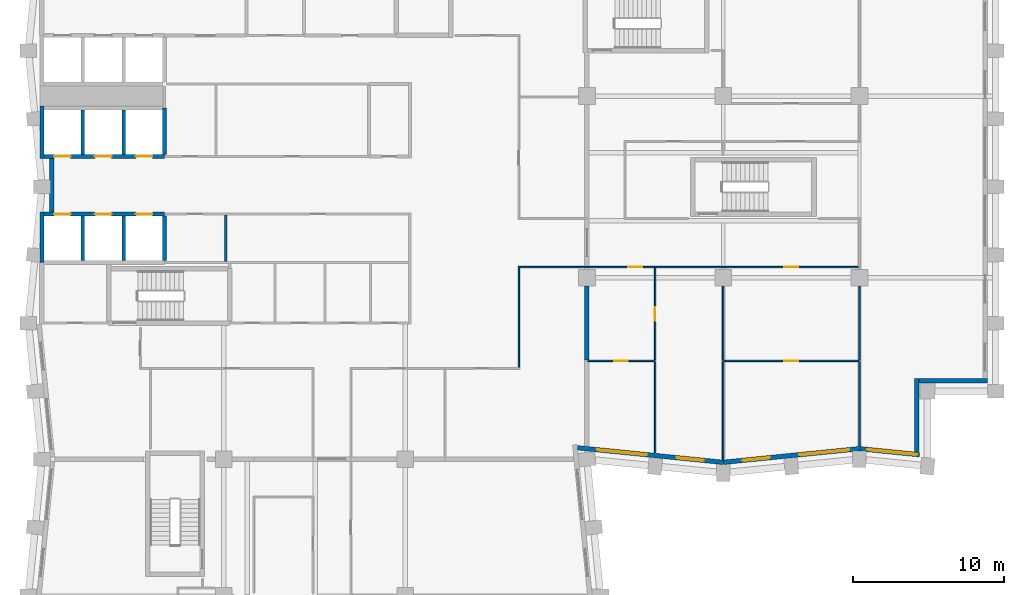
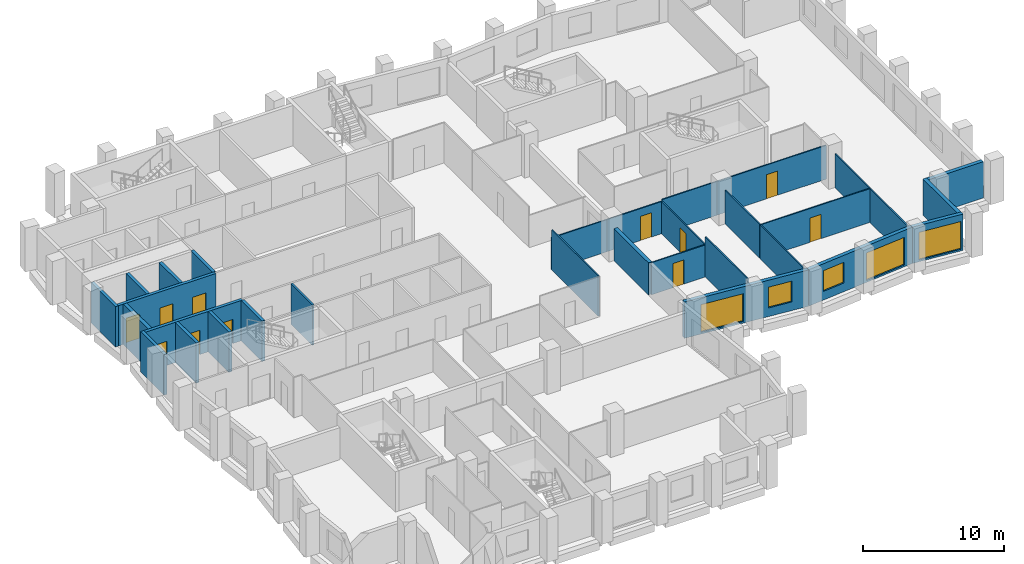
# One storey, part 5 of 10: 31 walls, 11 doors, 5 windows, 16 openings.
"""IFC4 building model written with IfcOpenShell, lengths in metres."""

from ifc_helpers import new_model, si_unit, direction, frame, frame_2d, origin, place, context, subcontext, project, spatial, rectangle, extrude, material, layer, layer_set, type_object, element, fill, save


model = new_model("IFC4")

# Units and contexts
model_context = context("Model", 3, precision=1e-05, world=origin(), true_north=direction((0.0, 1.0)))
body_context = subcontext(model_context, "Body", "Model", "MODEL_VIEW")
ifc_project = project(units=[si_unit("LENGTHUNIT", "METRE"), si_unit("AREAUNIT", "SQUARE_METRE"), si_unit("VOLUMEUNIT", "CUBIC_METRE"), si_unit("PLANEANGLEUNIT", "RADIAN"), si_unit("MASSUNIT", "GRAM", prefix="KILO")], contexts=[model_context])

# Site, building, storey
site_placement = place(None, origin())
site = spatial("IfcSite", under=ifc_project, at=site_placement, CompositionType="ELEMENT")
building_placement = place(site_placement, origin())
building = spatial("IfcBuilding", under=site, at=building_placement, Name="Brondeck Convention Tower", CompositionType="ELEMENT")
storey_placement = place(building_placement, frame((0.0, 0.0, 166.199951171875)))
storey = spatial("IfcBuildingStorey", under=building, at=storey_placement, Name="L40", CompositionType="ELEMENT", Elevation=166.199951171875)

# Walls
ifc_material_1 = material(Name="Concrete compartment wall C30/37", Category="concrete")
ifc_layer_1 = layer(ifc_material_1, 0.300048828125)
ifc_layer_set_1 = layer_set([ifc_layer_1], Name="Compartment wall 300")
wall_type_1 = type_object("IfcWallType", Name="Compartment wall 300", PredefinedType="PARTITIONING", material=ifc_layer_set_1)
wall_1_placement = place(storey_placement, frame((36.0, 33.550048828125, 0.0), z_axis=(0.0, 0.0, 1.0), x_axis=(0.0, 1.0, 0.0)))
element("IfcWall", 1, at=wall_1_placement, inside=storey, type_object=wall_type_1, Name="FLR-L40-W043", PredefinedType="PARTITIONING", context=body_context, shape_type="SweptSolid", body=[
    extrude(rectangle(XDim=4.89501953125, YDim=0.300048828125, at=frame_2d((2.447509765625, 0.0))), origin(), (0.0, 0.0, 1.0), 2.780029296875),
])
ifc_material_2 = material(Name="Concrete C70/85", Category="concrete")
ifc_layer_2 = layer(ifc_material_2, 0.300048828125)
ifc_layer_set_2 = layer_set([ifc_layer_2], Name="Core outer wall 300 Concrete C70/85")
wall_type_2 = type_object("IfcWallType", Name="Core outer wall 300 Concrete C70/85", PredefinedType="SHEAR", material=ifc_layer_set_2)
wall_2_placement = place(storey_placement, frame((0.64990234375, 43.324951171875, 0.0), z_axis=(0.0, 0.0, 1.0), x_axis=(0.0, 1.0, 0.0)))
element("IfcWall", 2, at=wall_2_placement, inside=storey, type_object=wall_type_2, Name="L40 core wall", PredefinedType="SHEAR", context=body_context, shape_type="SweptSolid", body=[
    extrude(rectangle(XDim=3.550048828125, YDim=0.300048828125, at=frame_2d((1.77490234375, 0.0))), origin(), (0.0, 0.0, 1.0), 3.5),
])
ifc_material_3 = material(Name="Fire-rated gypsum board partition")
ifc_layer_3 = layer(ifc_material_3, 0.14990234375)
ifc_layer_set_3 = layer_set([ifc_layer_3], Name="Core partition 150 EI 60")
wall_type_3 = type_object("IfcWallType", Name="Core partition 150 EI 60", PredefinedType="PARTITIONING", material=ifc_layer_set_3)
wall_3_placement = place(storey_placement, frame((12.14990234375, 40.074951171875, 0.0), z_axis=(0.0, 0.0, 1.0), x_axis=(0.0, 1.0, 0.0)))
element("IfcWall", 3, at=wall_3_placement, inside=storey, type_object=wall_type_3, Name="L40 core wall", PredefinedType="PARTITIONING", context=body_context, shape_type="SweptSolid", body=[
    extrude(rectangle(XDim=3.050048828125, YDim=0.14990234375, at=frame_2d((1.52490234375, 0.0))), origin(), (0.0, 0.0, 1.0), 3.5),
])

# Wall, openings, windows
ifc_material_4 = material(Name="Precast concrete C50/60 bronze finish", Category="concrete")
ifc_layer_4 = layer(ifc_material_4, 0.070068359375, Name="Bronze precast facing")
ifc_material_5 = material(Name="Mineral wool")
ifc_layer_5 = layer(ifc_material_5, 0.159912109375, Name="Insulation")
ifc_material_6 = material(Name="Concrete C35/45", Category="concrete")
ifc_layer_6 = layer(ifc_material_6, 0.070068359375, Name="Backing")
ifc_layer_set_4 = layer_set([ifc_layer_4, ifc_layer_5, ifc_layer_6], Name="External infill wall, precast concrete C50/60 bronze facing")
wall_type_4 = type_object("IfcWallType", Name="External infill wall, precast concrete C50/60 bronze facing", PredefinedType="SOLIDWALL", material=ifc_layer_set_4)
wall_4_placement = place(storey_placement, frame((45.014892578125, 26.802001953125, 0.0), z_axis=(0.0, 0.0, 1.0), x_axis=(-0.995037689759, 0.099498723402, 0.0)))
wall_4 = element("IfcWall", 4, at=wall_4_placement, inside=storey, type_object=wall_type_4, Name="ENV-EW-L40-P1-A-S-00", PredefinedType="SOLIDWALL", context=body_context, shape_type="SweptSolid", body=[
    extrude(rectangle(XDim=9.677490234375, YDim=0.300048828125, at=frame_2d((4.8388671875, 0.0))), origin(), (0.0, 0.0, 1.0), 3.150146484375),
])
opening_1_placement = place(wall_4_placement, frame((1.30615234375, 0.0, 0.75)))
opening_1 = element("IfcOpeningElement", 5, at=opening_1_placement, cuts=wall_4, Name="Opening W10", PredefinedType="OPENING", context=body_context, shape_type="SweptSolid", body=[
    extrude(rectangle(XDim=1.800048828125, YDim=1.800048828125, at=frame_2d((0.89990234375, 0.89990234375))), frame((0.0, 0.159912109375, 0.0), z_axis=(0.0, -1.0, 0.0), x_axis=(1.0, 0.0, 0.0)), (0.0, 0.0, 1.0), 0.320068359375),
])
opening_2_placement = place(wall_4_placement, frame((5.07861328125, 0.0, 0.14990234375)))
opening_2 = element("IfcOpeningElement", 6, at=opening_2_placement, cuts=wall_4, Name="Opening W9", PredefinedType="OPENING", context=body_context, shape_type="SweptSolid", body=[
    extrude(rectangle(XDim=3.300048828125, YDim=2.39990234375, at=frame_2d((1.64990234375, 1.199951171875))), frame((0.0, 0.159912109375, 0.0), z_axis=(0.0, -1.0, 0.0), x_axis=(1.0, 0.0, 0.0)), (0.0, 0.0, 1.0), 0.320068359375),
])
ifc_material_7 = material(Name="Bronze tinted double glazing", Category="glass")
window_type_1 = type_object("IfcWindowType", Name="Glazed flute window, bronze tinted", PartitioningType="SINGLE_PANEL", PredefinedType="WINDOW", material=ifc_material_7)
window_1_placement = place(opening_2_placement, origin())
window_1 = element("IfcWindow", 7, at=window_1_placement, inside=storey, type_object=window_type_1, Name="ENV-WN-L40-P1-A-S-00", OverallHeight=2.39990234375, OverallWidth=3.300048828125, PartitioningType="SINGLE_PANEL", PredefinedType="WINDOW", context=body_context, shape_type="SweptSolid", body=[
    extrude(rectangle(XDim=3.300048828125, YDim=2.39990234375, at=frame_2d((1.64990234375, 1.199951171875))), frame((0.0, 0.030029296875, 0.0), z_axis=(0.0, -1.0, 0.0), x_axis=(1.0, 0.0, 0.0)), (0.0, 0.0, 1.0), 0.06005859375),
])
fill(opening_2, window_1)
window_type_2 = type_object("IfcWindowType", Name="Punched window, bronze tinted", PartitioningType="SINGLE_PANEL", PredefinedType="WINDOW", material=ifc_material_7)
window_2_placement = place(opening_1_placement, origin())
window_2 = element("IfcWindow", 8, at=window_2_placement, inside=storey, type_object=window_type_2, Name="ENV-WN-L40-P1-A-S-01", OverallHeight=1.800048828125, OverallWidth=1.800048828125, PartitioningType="SINGLE_PANEL", PredefinedType="WINDOW", context=body_context, shape_type="SweptSolid", body=[
    extrude(rectangle(XDim=1.800048828125, YDim=1.800048828125, at=frame_2d((0.89990234375, 0.89990234375))), frame((0.0, 0.030029296875, 0.0), z_axis=(0.0, -1.0, 0.0), x_axis=(1.0, 0.0, 0.0)), (0.0, 0.0, 1.0), 0.06005859375),
])
fill(opening_1, window_2)

wall_5_placement = place(storey_placement, frame((54.014892578125, 27.705078125, 0.0), z_axis=(0.0, 0.0, 1.0), x_axis=(-0.995035316196, -0.099522457379, 0.0)))
wall_5 = element("IfcWall", 9, at=wall_5_placement, inside=storey, type_object=wall_type_4, Name="ENV-EW-L40-P1-A-S-02", PredefinedType="SOLIDWALL", context=body_context, shape_type="SweptSolid", body=[
    extrude(rectangle(XDim=9.030029296875, YDim=0.300048828125, at=frame_2d((4.51513671875, 0.0))), origin(), (0.0, 0.0, 1.0), 3.150146484375),
])
opening_3_placement = place(wall_5_placement, frame((0.6962890625, 0.0, 0.14990234375)))
opening_3 = element("IfcOpeningElement", 10, at=opening_3_placement, cuts=wall_5, Name="Opening W9", PredefinedType="OPENING", context=body_context, shape_type="SweptSolid", body=[
    extrude(rectangle(XDim=3.300048828125, YDim=2.39990234375, at=frame_2d((1.64990234375, 1.199951171875))), frame((0.0, 0.159912109375, 0.0), z_axis=(0.0, -1.0, 0.0), x_axis=(1.0, 0.0, 0.0)), (0.0, 0.0, 1.0), 0.320068359375),
])
opening_4_placement = place(wall_5_placement, frame((5.968505859375, 0.0, 0.75)))
opening_4 = element("IfcOpeningElement", 11, at=opening_4_placement, cuts=wall_5, Name="Opening W10", PredefinedType="OPENING", context=body_context, shape_type="SweptSolid", body=[
    extrude(rectangle(XDim=1.800048828125, YDim=1.800048828125, at=frame_2d((0.89990234375, 0.89990234375))), frame((0.0, 0.159912109375, 0.0), z_axis=(0.0, -1.0, 0.0), x_axis=(1.0, 0.0, 0.0)), (0.0, 0.0, 1.0), 0.320068359375),
])
window_3_placement = place(opening_3_placement, origin())
window_3 = element("IfcWindow", 12, at=window_3_placement, inside=storey, type_object=window_type_1, Name="ENV-WN-L40-P1-A-S-03", OverallHeight=2.39990234375, OverallWidth=3.300048828125, PartitioningType="SINGLE_PANEL", PredefinedType="WINDOW", context=body_context, shape_type="SweptSolid", body=[
    extrude(rectangle(XDim=3.300048828125, YDim=2.39990234375, at=frame_2d((1.64990234375, 1.199951171875))), frame((0.0, 0.030029296875, 0.0), z_axis=(0.0, -1.0, 0.0), x_axis=(1.0, 0.0, 0.0)), (0.0, 0.0, 1.0), 0.06005859375),
])
fill(opening_3, window_3)
window_4_placement = place(opening_4_placement, origin())
window_4 = element("IfcWindow", 13, at=window_4_placement, inside=storey, type_object=window_type_2, Name="ENV-WN-L40-P1-A-S-02", OverallHeight=1.800048828125, OverallWidth=1.800048828125, PartitioningType="SINGLE_PANEL", PredefinedType="WINDOW", context=body_context, shape_type="SweptSolid", body=[
    extrude(rectangle(XDim=1.800048828125, YDim=1.800048828125, at=frame_2d((0.89990234375, 0.89990234375))), frame((0.0, 0.030029296875, 0.0), z_axis=(0.0, -1.0, 0.0), x_axis=(1.0, 0.0, 0.0)), (0.0, 0.0, 1.0), 0.06005859375),
])
fill(opening_4, window_4)

# Wall, opening, window
wall_6_placement = place(storey_placement, frame((57.96484375, 27.306884765625, 0.0), z_axis=(0.0, 0.0, 1.0), x_axis=(-0.99503596767, 0.099515943658, 0.0)))
wall_6 = element("IfcWall", 14, at=wall_6_placement, inside=storey, type_object=wall_type_4, Name="ENV-EW-L40-P1-A-S-04", PredefinedType="SOLIDWALL", context=body_context, shape_type="SweptSolid", body=[
    extrude(rectangle(XDim=3.95458984375, YDim=0.300048828125, at=frame_2d((1.977294921875, 0.0))), origin(), (0.0, 0.0, 1.0), 3.150146484375),
])
opening_5_placement = place(wall_6_placement, frame((0.14990234375, 0.0, 0.14990234375)))
opening_5 = element("IfcOpeningElement", 15, at=opening_5_placement, cuts=wall_6, Name="Opening W9", PredefinedType="OPENING", context=body_context, shape_type="SweptSolid", body=[
    extrude(rectangle(XDim=3.300048828125, YDim=2.39990234375, at=frame_2d((1.64990234375, 1.199951171875))), frame((0.0, 0.159912109375, 0.0), z_axis=(0.0, -1.0, 0.0), x_axis=(1.0, 0.0, 0.0)), (0.0, 0.0, 1.0), 0.320068359375),
])
window_5_placement = place(opening_5_placement, origin())
window_5 = element("IfcWindow", 16, at=window_5_placement, inside=storey, type_object=window_type_1, Name="ENV-WN-L40-P1-A-S-04", OverallHeight=2.39990234375, OverallWidth=3.300048828125, PartitioningType="SINGLE_PANEL", PredefinedType="WINDOW", context=body_context, shape_type="SweptSolid", body=[
    extrude(rectangle(XDim=3.300048828125, YDim=2.39990234375, at=frame_2d((1.64990234375, 1.199951171875))), frame((0.0, 0.030029296875, 0.0), z_axis=(0.0, -1.0, 0.0), x_axis=(1.0, 0.0, 0.0)), (0.0, 0.0, 1.0), 0.06005859375),
])
fill(opening_5, window_5)

# Walls
wall_7_placement = place(storey_placement, frame((57.800048828125, 32.35009765625, 0.0), z_axis=(0.0, 0.0, 1.0), x_axis=(0.0, -1.0, 0.0)))
element("IfcWall", 17, at=wall_7_placement, inside=storey, type_object=wall_type_4, Name="ENV-EW-L40-P1-NC-SEA63-01", PredefinedType="SOLIDWALL", context=body_context, shape_type="SweptSolid", body=[
    extrude(rectangle(XDim=4.87060546875, YDim=0.300048828125, at=frame_2d((2.435302734375, 0.0))), origin(), (0.0, 0.0, 1.0), 3.150146484375),
])
wall_8_placement = place(storey_placement, frame((62.449951171875, 32.199951171875, 0.0), z_axis=(0.0, 0.0, 1.0), x_axis=(-1.0, 0.0, 0.0)))
element("IfcWall", 18, at=wall_8_placement, inside=storey, type_object=wall_type_4, Name="ENV-EW-L40-P1-NC-SEA63-02", PredefinedType="SOLIDWALL", context=body_context, shape_type="SweptSolid", body=[
    extrude(rectangle(XDim=4.501953125, YDim=0.300048828125, at=frame_2d((2.2509765625, 0.0))), origin(), (0.0, 0.0, 1.0), 3.150146484375),
])

# Wall, openings, doors
ifc_layer_7 = layer(ifc_material_2, 0.25)
ifc_layer_set_5 = layer_set([ifc_layer_7], Name="Lift shaft wall 250 Concrete C70/85")
wall_type_5 = type_object("IfcWallType", Name="Lift shaft wall 250 Concrete C70/85", PredefinedType="SHEAR", material=ifc_layer_set_5)
wall_9_placement = place(storey_placement, frame((0.125, 43.199951171875, 0.0), z_axis=(0.0, 0.0, 1.0), x_axis=(1.0, 0.0, 0.0)))
wall_9 = element("IfcWall", 19, at=wall_9_placement, inside=storey, type_object=wall_type_5, Name="L40 core wall", PredefinedType="SHEAR", context=body_context, shape_type="SweptSolid", body=[
    extrude(rectangle(XDim=7.97509765625, YDim=0.25, at=frame_2d((3.987548828125, 0.0))), origin(), (0.0, 0.0, 1.0), 3.5),
])
opening_6_placement = place(wall_9_placement, frame((0.675048828125, 0.0, 0.0)))
opening_6 = element("IfcOpeningElement", 20, at=opening_6_placement, cuts=wall_9, Name="Opening C23-24", PredefinedType="OPENING", context=body_context, shape_type="SweptSolid", body=[
    extrude(rectangle(XDim=1.10009765625, YDim=2.10009765625, at=frame_2d((0.550048828125, 1.050048828125))), frame((0.0, 0.135009765625, 0.0), z_axis=(0.0, -1.0, 0.0), x_axis=(1.0, 0.0, 0.0)), (0.0, 0.0, 1.0), 0.27001953125),
])
opening_7_placement = place(wall_9_placement, frame((3.375, 0.0, 0.0)))
opening_7 = element("IfcOpeningElement", 21, at=opening_7_placement, cuts=wall_9, Name="Opening C23-25", PredefinedType="OPENING", context=body_context, shape_type="SweptSolid", body=[
    extrude(rectangle(XDim=1.10009765625, YDim=2.10009765625, at=frame_2d((0.550048828125, 1.050048828125))), frame((0.0, 0.135009765625, 0.0), z_axis=(0.0, -1.0, 0.0), x_axis=(1.0, 0.0, 0.0)), (0.0, 0.0, 1.0), 0.27001953125),
])
opening_8_placement = place(wall_9_placement, frame((6.074951171875, 0.0, 0.0)))
opening_8 = element("IfcOpeningElement", 22, at=opening_8_placement, cuts=wall_9, Name="Opening C23-26", PredefinedType="OPENING", context=body_context, shape_type="SweptSolid", body=[
    extrude(rectangle(XDim=1.10009765625, YDim=2.10009765625, at=frame_2d((0.550048828125, 1.050048828125))), frame((0.0, 0.135009765625, 0.0), z_axis=(0.0, -1.0, 0.0), x_axis=(1.0, 0.0, 0.0)), (0.0, 0.0, 1.0), 0.27001953125),
])
ifc_material_8 = material(Name="Stainless steel lift door", Category="steel")
door_type_1 = type_object("IfcDoorType", Name="Lift landing door 1100x2100 EI 180", OperationType="DOUBLE_DOOR_SLIDING", PredefinedType="DOOR", material=ifc_material_8)
door_1_placement = place(opening_6_placement, origin())
door_1 = element("IfcDoor", 23, at=door_1_placement, inside=storey, type_object=door_type_1, Name="L40 Lift landing door HR1", OperationType="DOUBLE_DOOR_SLIDING", OverallHeight=2.10009765625, OverallWidth=1.10009765625, PredefinedType="DOOR", context=body_context, shape_type="SweptSolid", body=[
    extrude(rectangle(XDim=1.10009765625, YDim=2.10009765625, at=frame_2d((0.550048828125, 1.050048828125))), frame((0.0, 0.02490234375, 0.0), z_axis=(0.0, -1.0, 0.0), x_axis=(1.0, 0.0, 0.0)), (0.0, 0.0, 1.0), 0.050048828125),
])
fill(opening_6, door_1)
door_2_placement = place(opening_7_placement, origin())
door_2 = element("IfcDoor", 24, at=door_2_placement, inside=storey, type_object=door_type_1, Name="L40 Lift landing door HR2", OperationType="DOUBLE_DOOR_SLIDING", OverallHeight=2.10009765625, OverallWidth=1.10009765625, PredefinedType="DOOR", context=body_context, shape_type="SweptSolid", body=[
    extrude(rectangle(XDim=1.10009765625, YDim=2.10009765625, at=frame_2d((0.550048828125, 1.050048828125))), frame((0.0, 0.02490234375, 0.0), z_axis=(0.0, -1.0, 0.0), x_axis=(1.0, 0.0, 0.0)), (0.0, 0.0, 1.0), 0.050048828125),
])
fill(opening_7, door_2)
door_3_placement = place(opening_8_placement, origin())
door_3 = element("IfcDoor", 25, at=door_3_placement, inside=storey, type_object=door_type_1, Name="L40 Lift landing door HR3", OperationType="DOUBLE_DOOR_SLIDING", OverallHeight=2.10009765625, OverallWidth=1.10009765625, PredefinedType="DOOR", context=body_context, shape_type="SweptSolid", body=[
    extrude(rectangle(XDim=1.10009765625, YDim=2.10009765625, at=frame_2d((0.550048828125, 1.050048828125))), frame((0.0, 0.02490234375, 0.0), z_axis=(0.0, -1.0, 0.0), x_axis=(1.0, 0.0, 0.0)), (0.0, 0.0, 1.0), 0.050048828125),
])
fill(opening_8, door_3)

wall_10_placement = place(storey_placement, frame((0.125, 47.0, 0.0), z_axis=(0.0, 0.0, 1.0), x_axis=(1.0, 0.0, 0.0)))
wall_10 = element("IfcWall", 26, at=wall_10_placement, inside=storey, type_object=wall_type_5, Name="L40 core wall", PredefinedType="SHEAR", context=body_context, shape_type="SweptSolid", body=[
    extrude(rectangle(XDim=7.97509765625, YDim=0.25, at=frame_2d((3.987548828125, 0.0))), origin(), (0.0, 0.0, 1.0), 3.5),
])
opening_9_placement = place(wall_10_placement, frame((0.675048828125, 0.0, 0.0)))
opening_9 = element("IfcOpeningElement", 27, at=opening_9_placement, cuts=wall_10, Name="Opening C23-27", PredefinedType="OPENING", context=body_context, shape_type="SweptSolid", body=[
    extrude(rectangle(XDim=1.10009765625, YDim=2.10009765625, at=frame_2d((0.550048828125, 1.050048828125))), frame((0.0, 0.135009765625, 0.0), z_axis=(0.0, -1.0, 0.0), x_axis=(1.0, 0.0, 0.0)), (0.0, 0.0, 1.0), 0.27001953125),
])
opening_10_placement = place(wall_10_placement, frame((3.375, 0.0, 0.0)))
opening_10 = element("IfcOpeningElement", 28, at=opening_10_placement, cuts=wall_10, Name="Opening C23-28", PredefinedType="OPENING", context=body_context, shape_type="SweptSolid", body=[
    extrude(rectangle(XDim=1.10009765625, YDim=2.10009765625, at=frame_2d((0.550048828125, 1.050048828125))), frame((0.0, 0.135009765625, 0.0), z_axis=(0.0, -1.0, 0.0), x_axis=(1.0, 0.0, 0.0)), (0.0, 0.0, 1.0), 0.27001953125),
])
opening_11_placement = place(wall_10_placement, frame((6.074951171875, 0.0, 0.0)))
opening_11 = element("IfcOpeningElement", 29, at=opening_11_placement, cuts=wall_10, Name="Opening C23-29", PredefinedType="OPENING", context=body_context, shape_type="SweptSolid", body=[
    extrude(rectangle(XDim=1.10009765625, YDim=2.10009765625, at=frame_2d((0.550048828125, 1.050048828125))), frame((0.0, 0.135009765625, 0.0), z_axis=(0.0, -1.0, 0.0), x_axis=(1.0, 0.0, 0.0)), (0.0, 0.0, 1.0), 0.27001953125),
])
door_4_placement = place(opening_9_placement, origin())
door_4 = element("IfcDoor", 30, at=door_4_placement, inside=storey, type_object=door_type_1, Name="L40 Lift landing door HR4", OperationType="DOUBLE_DOOR_SLIDING", OverallHeight=2.10009765625, OverallWidth=1.10009765625, PredefinedType="DOOR", context=body_context, shape_type="SweptSolid", body=[
    extrude(rectangle(XDim=1.10009765625, YDim=2.10009765625, at=frame_2d((0.550048828125, 1.050048828125))), frame((0.0, 0.02490234375, 0.0), z_axis=(0.0, -1.0, 0.0), x_axis=(1.0, 0.0, 0.0)), (0.0, 0.0, 1.0), 0.050048828125),
])
fill(opening_9, door_4)
door_5_placement = place(opening_10_placement, origin())
door_5 = element("IfcDoor", 31, at=door_5_placement, inside=storey, type_object=door_type_1, Name="L40 Lift landing door HR5", OperationType="DOUBLE_DOOR_SLIDING", OverallHeight=2.10009765625, OverallWidth=1.10009765625, PredefinedType="DOOR", context=body_context, shape_type="SweptSolid", body=[
    extrude(rectangle(XDim=1.10009765625, YDim=2.10009765625, at=frame_2d((0.550048828125, 1.050048828125))), frame((0.0, 0.02490234375, 0.0), z_axis=(0.0, -1.0, 0.0), x_axis=(1.0, 0.0, 0.0)), (0.0, 0.0, 1.0), 0.050048828125),
])
fill(opening_10, door_5)
door_6_placement = place(opening_11_placement, origin())
door_6 = element("IfcDoor", 32, at=door_6_placement, inside=storey, type_object=door_type_1, Name="L40 Lift landing door HR6", OperationType="DOUBLE_DOOR_SLIDING", OverallHeight=2.10009765625, OverallWidth=1.10009765625, PredefinedType="DOOR", context=body_context, shape_type="SweptSolid", body=[
    extrude(rectangle(XDim=1.10009765625, YDim=2.10009765625, at=frame_2d((0.550048828125, 1.050048828125))), frame((0.0, 0.02490234375, 0.0), z_axis=(0.0, -1.0, 0.0), x_axis=(1.0, 0.0, 0.0)), (0.0, 0.0, 1.0), 0.050048828125),
])
fill(opening_11, door_6)

# Walls
wall_11_placement = place(storey_placement, frame((0.0, 40.0, 0.0), z_axis=(0.0, 0.0, 1.0), x_axis=(0.0, 1.0, 0.0)))
element("IfcWall", 33, at=wall_11_placement, inside=storey, type_object=wall_type_5, Name="L40 core wall", PredefinedType="SHEAR", context=body_context, shape_type="SweptSolid", body=[
    extrude(rectangle(XDim=3.324951171875, YDim=0.25, at=frame_2d((1.66259765625, 0.0))), origin(), (0.0, 0.0, 1.0), 3.5),
])
wall_12_placement = place(storey_placement, frame((0.0, 46.875, 0.0), z_axis=(0.0, 0.0, 1.0), x_axis=(0.0, 1.0, 0.0)))
element("IfcWall", 34, at=wall_12_placement, inside=storey, type_object=wall_type_5, Name="L40 core wall", PredefinedType="SHEAR", context=body_context, shape_type="SweptSolid", body=[
    extrude(rectangle(XDim=3.47509765625, YDim=0.25, at=frame_2d((1.737548828125, 0.0))), origin(), (0.0, 0.0, 1.0), 3.5),
])
for number, where, z_axis, x_axis, name in (
    (35, (2.699951171875, 40.125, 0.0), (0.0, 0.0, 1.0), (0.0, 1.0, 0.0), "L40 core wall"),
    (36, (2.699951171875, 47.125, 0.0), (0.0, 0.0, 1.0), (0.0, 1.0, 0.0), "L40 core wall"),
    (37, (5.39990234375, 40.125, 0.0), (0.0, 0.0, 1.0), (0.0, 1.0, 0.0), "L40 core wall"),
    (38, (5.39990234375, 47.125, 0.0), (0.0, 0.0, 1.0), (0.0, 1.0, 0.0), "L40 core wall"),
    (39, (8.10009765625, 40.125, 0.0), (0.0, 0.0, 1.0), (0.0, 1.0, 0.0), "L40 core wall"),
):
    element("IfcWall", number, at=place(storey_placement, frame(where, z_axis=z_axis, x_axis=x_axis)), inside=storey, type_object=wall_type_5, Name=name, PredefinedType="SHEAR", context=body_context, shape_type="SweptSolid", body=[
        extrude(rectangle(XDim=2.949951171875, YDim=0.25, at=frame_2d((1.47509765625, 0.0))), origin(), (0.0, 0.0, 1.0), 3.5),
    ])
wall_13_placement = place(storey_placement, frame((8.10009765625, 47.125, 0.0), z_axis=(0.0, 0.0, 1.0), x_axis=(0.0, 1.0, 0.0)))
element("IfcWall", 40, at=wall_13_placement, inside=storey, type_object=wall_type_5, Name="L40 core wall", PredefinedType="SHEAR", context=body_context, shape_type="SweptSolid", body=[
    extrude(rectangle(XDim=3.074951171875, YDim=0.25, at=frame_2d((1.53759765625, 0.0))), origin(), (0.0, 0.0, 1.0), 3.5),
])
ifc_material_9 = material(Name="Gypsum board partition on steel studs", Category="steel")
ifc_layer_8 = layer(ifc_material_9, 0.10009765625)
ifc_layer_set_6 = layer_set([ifc_layer_8], Name="Room partition 100")
wall_type_6 = type_object("IfcWallType", Name="Room partition 100", PredefinedType="PARTITIONING", material=ifc_layer_set_6)
wall_14_placement = place(storey_placement, frame((54.0, 27.874267578125, 0.0), z_axis=(0.0, 0.0, 1.0), x_axis=(0.0, 1.0, 0.0)))
element("IfcWall", 41, at=wall_14_placement, inside=storey, type_object=wall_type_6, Name="FLR-L40-W029", PredefinedType="PARTITIONING", context=body_context, shape_type="SweptSolid", body=[
    extrude(rectangle(XDim=5.57568359375, YDim=0.10009765625, at=frame_2d((2.787841796875, 0.0))), origin(), (0.0, 0.0, 1.0), 2.929931640625),
])
wall_15_placement = place(storey_placement, frame((40.5, 33.449951171875, 0.0), z_axis=(0.0, 0.0, 1.0), x_axis=(0.0, -1.0, 0.0)))
element("IfcWall", 42, at=wall_15_placement, inside=storey, type_object=wall_type_6, Name="FLR-L40-W039", PredefinedType="PARTITIONING", context=body_context, shape_type="SweptSolid", body=[
    extrude(rectangle(XDim=6.025634765625, YDim=0.10009765625, at=frame_2d((3.0126953125, 0.0))), origin(), (0.0, 0.0, 1.0), 3.47998046875),
])
wall_16_placement = place(storey_placement, frame((45.0, 33.449951171875, 0.0), z_axis=(0.0, 0.0, 1.0), x_axis=(0.0, -1.0, 0.0)))
element("IfcWall", 43, at=wall_16_placement, inside=storey, type_object=wall_type_6, Name="FLR-L40-W040", PredefinedType="PARTITIONING", context=body_context, shape_type="SweptSolid", body=[
    extrude(rectangle(XDim=6.475830078125, YDim=0.10009765625, at=frame_2d((3.23779296875, 0.0))), origin(), (0.0, 0.0, 1.0), 2.929931640625),
])

# Wall, opening, door
wall_17_placement = place(storey_placement, frame((40.449951171875, 33.5, 0.0), z_axis=(0.0, 0.0, 1.0), x_axis=(-1.0, 0.0, 0.0)))
wall_17 = element("IfcWall", 44, at=wall_17_placement, inside=storey, type_object=wall_type_6, Name="FLR-L40-W041", PredefinedType="PARTITIONING", context=body_context, shape_type="SweptSolid", body=[
    extrude(rectangle(XDim=4.39990234375, YDim=0.10009765625, at=frame_2d((2.199951171875, 0.0))), origin(), (0.0, 0.0, 1.0), 2.780029296875),
])
opening_12_placement = place(wall_17_placement, frame((1.75, 0.0, 0.0)))
opening_12 = element("IfcOpeningElement", 45, at=opening_12_placement, cuts=wall_17, Name="Opening OF-H-007", PredefinedType="OPENING", context=body_context, shape_type="SweptSolid", body=[
    extrude(rectangle(XDim=0.89990234375, YDim=2.10009765625, at=frame_2d((0.449951171875, 1.050048828125))), frame((0.0, 0.06005859375, 0.0), z_axis=(0.0, -1.0, 0.0), x_axis=(1.0, 0.0, 0.0)), (0.0, 0.0, 1.0), 0.1201171875),
])
ifc_material_10 = material(Name="Solid timber door leaf", Category="wood")
door_type_2 = type_object("IfcDoorType", Name="Single door 900", OperationType="NOTDEFINED", PredefinedType="DOOR", material=ifc_material_10)
door_7_placement = place(opening_12_placement, origin())
door_7 = element("IfcDoor", 46, at=door_7_placement, inside=storey, type_object=door_type_2, Name="Door OF-H-007", OperationType="SINGLE_SWING_LEFT", OverallHeight=2.10009765625, OverallWidth=0.89990234375, PredefinedType="DOOR", context=body_context, shape_type="SweptSolid", body=[
    extrude(rectangle(XDim=0.89990234375, YDim=2.10009765625, at=frame_2d((0.449951171875, 1.050048828125))), frame((0.0, 0.02490234375, 0.0), z_axis=(0.0, -1.0, 0.0), x_axis=(1.0, 0.0, 0.0)), (0.0, 0.0, 1.0), 0.050048828125),
])
fill(opening_12, door_7)

wall_18_placement = place(storey_placement, frame((53.949951171875, 33.5, 0.0), z_axis=(0.0, 0.0, 1.0), x_axis=(-1.0, 0.0, 0.0)))
wall_18 = element("IfcWall", 47, at=wall_18_placement, inside=storey, type_object=wall_type_6, Name="FLR-L40-W042", PredefinedType="PARTITIONING", context=body_context, shape_type="SweptSolid", body=[
    extrude(rectangle(XDim=8.89990234375, YDim=0.10009765625, at=frame_2d((4.449951171875, 0.0))), origin(), (0.0, 0.0, 1.0), 2.929931640625),
])
opening_13_placement = place(wall_18_placement, frame((4.0, 0.0, 0.0)))
opening_13 = element("IfcOpeningElement", 48, at=opening_13_placement, cuts=wall_18, Name="Opening OF-H-010", PredefinedType="OPENING", context=body_context, shape_type="SweptSolid", body=[
    extrude(rectangle(XDim=0.89990234375, YDim=2.10009765625, at=frame_2d((0.449951171875, 1.050048828125))), frame((0.0, 0.06005859375, 0.0), z_axis=(0.0, -1.0, 0.0), x_axis=(1.0, 0.0, 0.0)), (0.0, 0.0, 1.0), 0.1201171875),
])
door_8_placement = place(opening_13_placement, origin())
door_8 = element("IfcDoor", 49, at=door_8_placement, inside=storey, type_object=door_type_2, Name="Door OF-H-010", OperationType="SINGLE_SWING_LEFT", OverallHeight=2.10009765625, OverallWidth=0.89990234375, PredefinedType="DOOR", context=body_context, shape_type="SweptSolid", body=[
    extrude(rectangle(XDim=0.89990234375, YDim=2.10009765625, at=frame_2d((0.449951171875, 1.050048828125))), frame((0.0, 0.02490234375, 0.0), z_axis=(0.0, -1.0, 0.0), x_axis=(1.0, 0.0, 0.0)), (0.0, 0.0, 1.0), 0.050048828125),
])
fill(opening_13, door_8)

# Walls
for number, where, z_axis, x_axis, name in (
    (50, (54.0, 33.550048828125, 0.0), (0.0, 0.0, 1.0), (0.0, 1.0, 0.0), "FLR-L40-W044"),
    (51, (45.0, 38.445068359375, 0.0), (0.0, 0.0, 1.0), (0.0, -1.0, 0.0), "FLR-L40-W045"),
):
    element("IfcWall", number, at=place(storey_placement, frame(where, z_axis=z_axis, x_axis=x_axis)), inside=storey, type_object=wall_type_6, Name=name, PredefinedType="PARTITIONING", context=body_context, shape_type="SweptSolid", body=[
        extrude(rectangle(XDim=4.89501953125, YDim=0.10009765625, at=frame_2d((2.447509765625, 0.0))), origin(), (0.0, 0.0, 1.0), 2.929931640625),
    ])
wall_19_placement = place(storey_placement, frame((31.5, 39.64990234375, 0.0), z_axis=(0.0, 0.0, 1.0), x_axis=(0.0, -1.0, 0.0)))
element("IfcWall", 52, at=wall_19_placement, inside=storey, type_object=wall_type_6, Name="FLR-L40-W046", PredefinedType="PARTITIONING", context=body_context, shape_type="SweptSolid", body=[
    extrude(rectangle(XDim=6.599853515625, YDim=0.10009765625, at=frame_2d((3.2998046875, 0.0))), origin(), (0.0, 0.0, 1.0), 3.47998046875),
])

# Wall, opening, door
wall_20_placement = place(storey_placement, frame((40.5, 39.64990234375, 0.0), z_axis=(0.0, 0.0, 1.0), x_axis=(0.0, -1.0, 0.0)))
wall_20 = element("IfcWall", 53, at=wall_20_placement, inside=storey, type_object=wall_type_6, Name="FLR-L40-W047", PredefinedType="PARTITIONING", context=body_context, shape_type="SweptSolid", body=[
    extrude(rectangle(XDim=6.099853515625, YDim=0.10009765625, at=frame_2d((3.0498046875, 0.0))), origin(), (0.0, 0.0, 1.0), 2.780029296875),
])
opening_14_placement = place(wall_20_placement, frame((2.60009765625, 0.0, 0.0)))
opening_14 = element("IfcOpeningElement", 54, at=opening_14_placement, cuts=wall_20, Name="Opening OF-H-008", PredefinedType="OPENING", context=body_context, shape_type="SweptSolid", body=[
    extrude(rectangle(XDim=0.89990234375, YDim=2.10009765625, at=frame_2d((0.449951171875, 1.050048828125))), frame((0.0, 0.06005859375, 0.0), z_axis=(0.0, -1.0, 0.0), x_axis=(1.0, 0.0, 0.0)), (0.0, 0.0, 1.0), 0.1201171875),
])
door_9_placement = place(opening_14_placement, origin())
door_9 = element("IfcDoor", 55, at=door_9_placement, inside=storey, type_object=door_type_2, Name="Door OF-H-008", OperationType="SINGLE_SWING_LEFT", OverallHeight=2.10009765625, OverallWidth=0.89990234375, PredefinedType="DOOR", context=body_context, shape_type="SweptSolid", body=[
    extrude(rectangle(XDim=0.89990234375, YDim=2.10009765625, at=frame_2d((0.449951171875, 1.050048828125))), frame((0.0, 0.02490234375, 0.0), z_axis=(0.0, -1.0, 0.0), x_axis=(1.0, 0.0, 0.0)), (0.0, 0.0, 1.0), 0.050048828125),
])
fill(opening_14, door_9)

# Wall
wall_21_placement = place(storey_placement, frame((36.0, 39.699951171875, 0.0), z_axis=(0.0, 0.0, 1.0), x_axis=(-1.0, 0.0, 0.0)))
element("IfcWall", 56, at=wall_21_placement, inside=storey, type_object=wall_type_6, Name="FLR-L40-W048", PredefinedType="PARTITIONING", context=body_context, shape_type="SweptSolid", body=[
    extrude(rectangle(XDim=4.550048828125, YDim=0.10009765625, at=frame_2d((2.27490234375, 0.0))), origin(), (0.0, 0.0, 1.0), 2.780029296875),
])

# Wall, opening, door
wall_22_placement = place(storey_placement, frame((40.5, 39.699951171875, 0.0), z_axis=(0.0, 0.0, 1.0), x_axis=(-1.0, 0.0, 0.0)))
wall_22 = element("IfcWall", 57, at=wall_22_placement, inside=storey, type_object=wall_type_6, Name="FLR-L40-W049", PredefinedType="PARTITIONING", context=body_context, shape_type="SweptSolid", body=[
    extrude(rectangle(XDim=4.5, YDim=0.10009765625, at=frame_2d((2.25, 0.0))), origin(), (0.0, 0.0, 1.0), 2.780029296875),
])
opening_15_placement = place(wall_22_placement, frame((0.8544921875, 0.0, 0.0)))
opening_15 = element("IfcOpeningElement", 58, at=opening_15_placement, cuts=wall_22, Name="Opening OF-H-006", PredefinedType="OPENING", context=body_context, shape_type="SweptSolid", body=[
    extrude(rectangle(XDim=0.89990234375, YDim=2.10009765625, at=frame_2d((0.449951171875, 1.050048828125))), frame((0.0, 0.06005859375, 0.0), z_axis=(0.0, -1.0, 0.0), x_axis=(1.0, 0.0, 0.0)), (0.0, 0.0, 1.0), 0.1201171875),
])
door_10_placement = place(opening_15_placement, origin())
door_10 = element("IfcDoor", 59, at=door_10_placement, inside=storey, type_object=door_type_2, Name="Door OF-H-006", OperationType="SINGLE_SWING_LEFT", OverallHeight=2.10009765625, OverallWidth=0.89990234375, PredefinedType="DOOR", context=body_context, shape_type="SweptSolid", body=[
    extrude(rectangle(XDim=0.89990234375, YDim=2.10009765625, at=frame_2d((0.449951171875, 1.050048828125))), frame((0.0, 0.02490234375, 0.0), z_axis=(0.0, -1.0, 0.0), x_axis=(1.0, 0.0, 0.0)), (0.0, 0.0, 1.0), 0.050048828125),
])
fill(opening_15, door_10)

# Wall
wall_23_placement = place(storey_placement, frame((45.0, 39.699951171875, 0.0), z_axis=(0.0, 0.0, 1.0), x_axis=(-1.0, 0.0, 0.0)))
element("IfcWall", 60, at=wall_23_placement, inside=storey, type_object=wall_type_6, Name="FLR-L40-W050", PredefinedType="PARTITIONING", context=body_context, shape_type="SweptSolid", body=[
    extrude(rectangle(XDim=4.5, YDim=0.10009765625, at=frame_2d((2.25, 0.0))), origin(), (0.0, 0.0, 1.0), 2.929931640625),
])

# Wall, opening, door
wall_24_placement = place(storey_placement, frame((53.949951171875, 39.699951171875, 0.0), z_axis=(0.0, 0.0, 1.0), x_axis=(-1.0, 0.0, 0.0)))
wall_24 = element("IfcWall", 61, at=wall_24_placement, inside=storey, type_object=wall_type_6, Name="FLR-L40-W051", PredefinedType="PARTITIONING", context=body_context, shape_type="SweptSolid", body=[
    extrude(rectangle(XDim=8.949951171875, YDim=0.10009765625, at=frame_2d((4.47509765625, 0.0))), origin(), (0.0, 0.0, 1.0), 2.929931640625),
])
opening_16_placement = place(wall_24_placement, frame((4.0, 0.0, 0.0)))
opening_16 = element("IfcOpeningElement", 62, at=opening_16_placement, cuts=wall_24, Name="Opening OF-H-009", PredefinedType="OPENING", context=body_context, shape_type="SweptSolid", body=[
    extrude(rectangle(XDim=0.89990234375, YDim=2.10009765625, at=frame_2d((0.449951171875, 1.050048828125))), frame((0.0, 0.06005859375, 0.0), z_axis=(0.0, -1.0, 0.0), x_axis=(1.0, 0.0, 0.0)), (0.0, 0.0, 1.0), 0.1201171875),
])
door_11_placement = place(opening_16_placement, origin())
door_11 = element("IfcDoor", 63, at=door_11_placement, inside=storey, type_object=door_type_2, Name="Door OF-H-009", OperationType="SINGLE_SWING_LEFT", OverallHeight=2.10009765625, OverallWidth=0.89990234375, PredefinedType="DOOR", context=body_context, shape_type="SweptSolid", body=[
    extrude(rectangle(XDim=0.89990234375, YDim=2.10009765625, at=frame_2d((0.449951171875, 1.050048828125))), frame((0.0, 0.02490234375, 0.0), z_axis=(0.0, -1.0, 0.0), x_axis=(1.0, 0.0, 0.0)), (0.0, 0.0, 1.0), 0.050048828125),
])
fill(opening_16, door_11)

save(model, "model.ifc")
